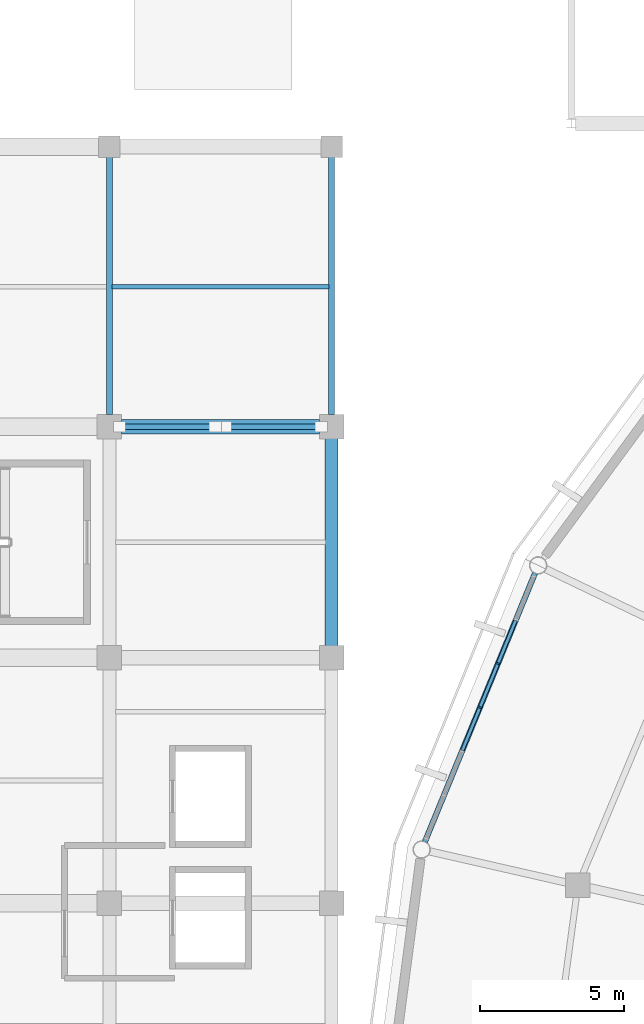
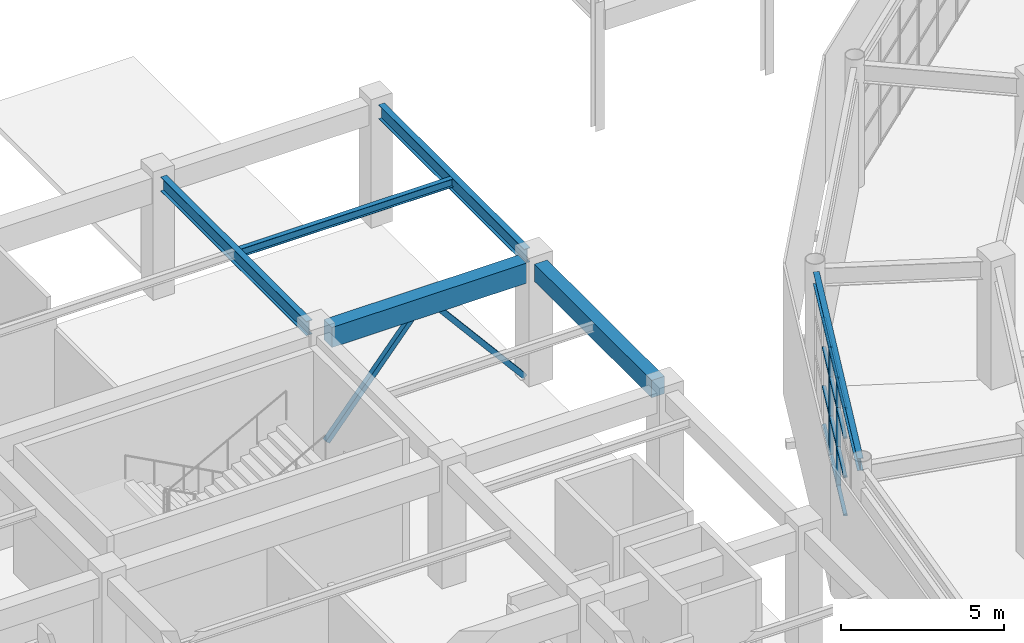
# One storey, part 44 of 122: 16 members, 6 beams, 1 element without a shape of its own.
"""IFC4 building model written with IfcOpenShell, lengths in metres."""

from ifc_helpers import new_model, si_unit, direction, frame, origin, origin_2d, place, context, subcontext, project, spatial, rectangle, hollow_rectangle, i_section, extrude, material, material_profile, profile_set, type_object, element, aggregate, save


model = new_model("IFC4")

# Units and contexts
model_context = context("Model", 3, precision=1e-05, world=origin(), true_north=direction((0.0, 1.0)))
body_context = subcontext(model_context, "Body", "Model", "MODEL_VIEW")
ifc_project = project(units=[si_unit("LENGTHUNIT", "METRE"), si_unit("AREAUNIT", "SQUARE_METRE"), si_unit("VOLUMEUNIT", "CUBIC_METRE"), si_unit("PLANEANGLEUNIT", "RADIAN"), si_unit("MASSUNIT", "GRAM", prefix="KILO")], contexts=[model_context])

# Site, building, storey
site_placement = place(None, origin())
site = spatial("IfcSite", under=ifc_project, at=site_placement, CompositionType="ELEMENT")
building_placement = place(site_placement, origin())
building = spatial("IfcBuilding", under=site, at=building_placement, Name="Cuetzalor Civic Arena", CompositionType="ELEMENT")
storey_placement = place(building_placement, frame((0.0, 0.0, 16.199951171875)))
storey = spatial("IfcBuildingStorey", under=building, at=storey_placement, Name="L03", CompositionType="ELEMENT", Elevation=16.199951171875)

# Beams
ifc_material_1 = material(Name="Concrete C40/50", Category="concrete")
ifc_material_profile_1 = material_profile(ifc_material_1, rectangle(XDim=0.5, YDim=0.75, at=origin_2d()), Name="RC 500x750")
ifc_profile_set_1 = profile_set([ifc_material_profile_1], Name="Concrete C40/50")
beam_type_1 = type_object("IfcBeamType", Name="ConcreteFrameBeam_500x750", PredefinedType="BEAM", material=ifc_profile_set_1)
beam_1_placement = place(storey_placement, frame((-63.5849609375, 25.0, 4.14501953125), z_axis=(1.0, 0.0, 0.0), x_axis=(0.0, 1.0, 0.0)))
element("IfcBeam", 1, at=beam_1_placement, inside=storey, type_object=beam_type_1, Name="Frame Girder V4W-L03-X0912", PredefinedType="BEAM", context=body_context, shape_type="SweptSolid", body=[
    extrude(rectangle(XDim=0.5, YDim=0.75, at=origin_2d()), origin(), (0.0, 0.0, 1.0), 6.869873046875),
])
ifc_material_2 = material(Name="Concrete C40/50", Category="concrete")
ifc_material_profile_2 = material_profile(ifc_material_2, rectangle(XDim=0.449951171875, YDim=0.64990234375, at=origin_2d()), Name="RC 450x650")
ifc_profile_set_2 = profile_set([ifc_material_profile_2], Name="Concrete C40/50")
beam_type_2 = type_object("IfcBeamType", Name="ConcreteTieBeam_450x650", PredefinedType="BEAM", material=ifc_profile_set_2)
beam_2_placement = place(storey_placement, frame((-56.300048828125, 17.4150390625, 4.195068359375), z_axis=(0.0, 1.0, 0.0), x_axis=(-1.0, 0.0, 0.0)))
element("IfcBeam", 2, at=beam_2_placement, inside=storey, type_object=beam_type_2, Name="Frame Girder V4W-L03-Y0954", PredefinedType="BEAM", context=body_context, shape_type="SweptSolid", body=[
    extrude(rectangle(XDim=0.449951171875, YDim=0.64990234375, at=origin_2d()), origin(), (0.0, 0.0, 1.0), 7.169921875),
])

# Curtain wall, members
ifc_material_3 = material(Name="Anodised dark bronze aluminium and low-E solar glass", Category="aluminium")
curtain_wall_type = type_object("IfcCurtainWallType", Name="UnitisedCW_9850x4050", PredefinedType="USERDEFINED", material=ifc_material_3)
curtain_wall_placement = place(storey_placement, origin())
curtain_wall = element("IfcCurtainWall", 3, at=curtain_wall_placement, inside=storey, type_object=curtain_wall_type, Name="Drum Triangle Foyer Curtain Wall L03-050", ObjectType="UNITISED CURTAIN WALL", PredefinedType="USERDEFINED")
ifc_material_4 = material(Name="Anodised dark bronze aluminium", Category="aluminium")
ifc_material_profile_3 = material_profile(ifc_material_4, rectangle(XDim=0.06494140625, YDim=0.14990234375, at=origin_2d()), Name="ALU MULLION 65x150")
ifc_profile_set_3 = profile_set([ifc_material_profile_3], Name="Anodised dark bronze aluminium")
member_type_1 = type_object("IfcMemberType", Name="CurtainWallMullion_60x150", PredefinedType="MULLION", material=ifc_profile_set_3)
member_1_placement = place(storey_placement, frame((-51.1650390625, 15.27783203125, 0.0), z_axis=(0.0, 0.0, 1.0), x_axis=(0.379391428583, 0.925236263836, 0.0)))
member_1 = element("IfcMember", 4, at=member_1_placement, type_object=member_type_1, Name="CW-17 mullion 4", PredefinedType="MULLION", context=body_context, shape_type="SweptSolid", body=[
    extrude(rectangle(XDim=0.06494140625, YDim=0.14990234375, at=origin_2d()), origin(), (0.0, 0.0, 1.0), 4.052978515625),
])
member_2_placement = place(storey_placement, frame((-50.540771484375, 16.800537109375, 0.0), z_axis=(0.0, 0.0, 1.0), x_axis=(0.379391428583, 0.925236263836, 0.0)))
member_2 = element("IfcMember", 5, at=member_2_placement, type_object=member_type_1, Name="CW-17 mullion 5", PredefinedType="MULLION", context=body_context, shape_type="SweptSolid", body=[
    extrude(rectangle(XDim=0.06494140625, YDim=0.14990234375, at=origin_2d()), origin(), (0.0, 0.0, 1.0), 4.052978515625),
])
ifc_material_5 = material(Name="Anodised dark bronze aluminium", Category="aluminium")
ifc_material_profile_4 = material_profile(ifc_material_5, rectangle(XDim=0.1201171875, YDim=0.06494140625, at=origin_2d()), Name="ALU TRANSOM 65x120")
ifc_profile_set_4 = profile_set([ifc_material_profile_4], Name="Anodised dark bronze aluminium")
member_type_2 = type_object("IfcMemberType", Name="CurtainWallTransom_60x120", PredefinedType="USERDEFINED", material=ifc_profile_set_4)
member_3_placement = place(storey_placement, frame((-51.777099609375, 13.78515625, 0.032470703125), z_axis=(0.379312293377, 0.925268709129, 0.0), x_axis=(-0.925268709129, 0.379312293377, 0.0)))
member_3 = element("IfcMember", 6, at=member_3_placement, type_object=member_type_2, Name="CW-17 transom 3.1", ObjectType="TRANSOM", PredefinedType="USERDEFINED", context=body_context, shape_type="SweptSolid", body=[
    extrude(rectangle(XDim=0.1201171875, YDim=0.06494140625, at=origin_2d()), origin(), (0.0, 0.0, 1.0), 1.580810546875),
])
member_4_placement = place(storey_placement, frame((-51.777099609375, 13.78515625, 1.458984375), z_axis=(0.379312293377, 0.925268709129, 0.0), x_axis=(-0.925268709129, 0.379312293377, 0.0)))
member_4 = element("IfcMember", 7, at=member_4_placement, type_object=member_type_2, Name="CW-17 transom 3.2", ObjectType="TRANSOM", PredefinedType="USERDEFINED", context=body_context, shape_type="SweptSolid", body=[
    extrude(rectangle(XDim=0.1201171875, YDim=0.06494140625, at=origin_2d()), origin(), (0.0, 0.0, 1.0), 1.580810546875),
])
member_5_placement = place(storey_placement, frame((-51.777099609375, 13.78515625, 2.91796875), z_axis=(0.379312293377, 0.925268709129, 0.0), x_axis=(-0.925268709129, 0.379312293377, 0.0)))
member_5 = element("IfcMember", 8, at=member_5_placement, type_object=member_type_2, Name="CW-17 transom 3.3", ObjectType="TRANSOM", PredefinedType="USERDEFINED", context=body_context, shape_type="SweptSolid", body=[
    extrude(rectangle(XDim=0.1201171875, YDim=0.06494140625, at=origin_2d()), origin(), (0.0, 0.0, 1.0), 1.580810546875),
])
member_6_placement = place(storey_placement, frame((-51.777099609375, 13.78515625, 4.0205078125), z_axis=(0.379312293377, 0.925268709129, 0.0), x_axis=(-0.925268709129, 0.379312293377, 0.0)))
member_6 = element("IfcMember", 9, at=member_6_placement, type_object=member_type_2, Name="CW-17 transom 3.4", ObjectType="TRANSOM", PredefinedType="USERDEFINED", context=body_context, shape_type="SweptSolid", body=[
    extrude(rectangle(XDim=0.1201171875, YDim=0.06494140625, at=origin_2d()), origin(), (0.0, 0.0, 1.0), 1.580810546875),
])
member_7_placement = place(storey_placement, frame((-51.15283203125, 15.307861328125, 0.032470703125), z_axis=(0.379444503936, 0.925214498607, 0.0), x_axis=(-0.925214498607, 0.379444503936, 0.0)))
member_7 = element("IfcMember", 10, at=member_7_placement, type_object=member_type_2, Name="CW-17 transom 4.1", ObjectType="TRANSOM", PredefinedType="USERDEFINED", context=body_context, shape_type="SweptSolid", body=[
    extrude(rectangle(XDim=0.1201171875, YDim=0.06494140625, at=origin_2d()), origin(), (0.0, 0.0, 1.0), 1.580810546875),
])
member_8_placement = place(storey_placement, frame((-51.15283203125, 15.307861328125, 1.458984375), z_axis=(0.379444503936, 0.925214498607, 0.0), x_axis=(-0.925214498607, 0.379444503936, 0.0)))
member_8 = element("IfcMember", 11, at=member_8_placement, type_object=member_type_2, Name="CW-17 transom 4.2", ObjectType="TRANSOM", PredefinedType="USERDEFINED", context=body_context, shape_type="SweptSolid", body=[
    extrude(rectangle(XDim=0.1201171875, YDim=0.06494140625, at=origin_2d()), origin(), (0.0, 0.0, 1.0), 1.580810546875),
])
member_9_placement = place(storey_placement, frame((-51.15283203125, 15.307861328125, 2.91796875), z_axis=(0.379444503936, 0.925214498607, 0.0), x_axis=(-0.925214498607, 0.379444503936, 0.0)))
member_9 = element("IfcMember", 12, at=member_9_placement, type_object=member_type_2, Name="CW-17 transom 4.3", ObjectType="TRANSOM", PredefinedType="USERDEFINED", context=body_context, shape_type="SweptSolid", body=[
    extrude(rectangle(XDim=0.1201171875, YDim=0.06494140625, at=origin_2d()), origin(), (0.0, 0.0, 1.0), 1.580810546875),
])
member_10_placement = place(storey_placement, frame((-51.15283203125, 15.307861328125, 4.0205078125), z_axis=(0.379444503936, 0.925214498607, 0.0), x_axis=(-0.925214498607, 0.379444503936, 0.0)))
member_10 = element("IfcMember", 13, at=member_10_placement, type_object=member_type_2, Name="CW-17 transom 4.4", ObjectType="TRANSOM", PredefinedType="USERDEFINED", context=body_context, shape_type="SweptSolid", body=[
    extrude(rectangle(XDim=0.1201171875, YDim=0.06494140625, at=origin_2d()), origin(), (0.0, 0.0, 1.0), 1.580810546875),
])
member_11_placement = place(storey_placement, frame((-50.5283203125, 16.83056640625, 0.032470703125), z_axis=(0.379366504724, 0.925246483427, 0.0), x_axis=(-0.925246483427, 0.379366504724, 0.0)))
member_11 = element("IfcMember", 14, at=member_11_placement, type_object=member_type_2, Name="CW-17 transom 5.1", ObjectType="TRANSOM", PredefinedType="USERDEFINED", context=body_context, shape_type="SweptSolid", body=[
    extrude(rectangle(XDim=0.1201171875, YDim=0.06494140625, at=origin_2d()), origin(), (0.0, 0.0, 1.0), 1.58056640625),
])
member_12_placement = place(storey_placement, frame((-50.5283203125, 16.83056640625, 1.458984375), z_axis=(0.379366504724, 0.925246483427, 0.0), x_axis=(-0.925246483427, 0.379366504724, 0.0)))
member_12 = element("IfcMember", 15, at=member_12_placement, type_object=member_type_2, Name="CW-17 transom 5.2", ObjectType="TRANSOM", PredefinedType="USERDEFINED", context=body_context, shape_type="SweptSolid", body=[
    extrude(rectangle(XDim=0.1201171875, YDim=0.06494140625, at=origin_2d()), origin(), (0.0, 0.0, 1.0), 1.58056640625),
])
member_13_placement = place(storey_placement, frame((-50.5283203125, 16.83056640625, 2.91796875), z_axis=(0.379366504724, 0.925246483427, 0.0), x_axis=(-0.925246483427, 0.379366504724, 0.0)))
member_13 = element("IfcMember", 16, at=member_13_placement, type_object=member_type_2, Name="CW-17 transom 5.3", ObjectType="TRANSOM", PredefinedType="USERDEFINED", context=body_context, shape_type="SweptSolid", body=[
    extrude(rectangle(XDim=0.1201171875, YDim=0.06494140625, at=origin_2d()), origin(), (0.0, 0.0, 1.0), 1.58056640625),
])
member_14_placement = place(storey_placement, frame((-50.5283203125, 16.83056640625, 4.0205078125), z_axis=(0.379366504724, 0.925246483427, 0.0), x_axis=(-0.925246483427, 0.379366504724, 0.0)))
member_14 = element("IfcMember", 17, at=member_14_placement, type_object=member_type_2, Name="CW-17 transom 5.4", ObjectType="TRANSOM", PredefinedType="USERDEFINED", context=body_context, shape_type="SweptSolid", body=[
    extrude(rectangle(XDim=0.1201171875, YDim=0.06494140625, at=origin_2d()), origin(), (0.0, 0.0, 1.0), 1.58056640625),
])
aggregate(curtain_wall, [member_1, member_2, member_3, member_4, member_5, member_6, member_7, member_8, member_9, member_10, member_11, member_12, member_13, member_14])

# Beam
ifc_material_6 = material(Name="Steel S355", Category="steel")
ifc_material_profile_5 = material_profile(ifc_material_6, i_section(OverallWidth=0.18994140625, OverallDepth=0.45703125, WebThickness=0.009033203125, FlangeThickness=0.014404296875, at=origin_2d()), Name="W460x74")
ifc_profile_set_5 = profile_set([ifc_material_profile_5], Name="Steel S355")
beam_type_3 = type_object("IfcBeamType", Name="FacadeSpandrelBeam_W460", PredefinedType="SPANDREL", material=ifc_profile_set_5)
beam_3_placement = place(storey_placement, frame((-49.2578125, 19.928955078125, 4.29150390625), z_axis=(-0.379398599643, -0.925233323324, 0.0), x_axis=(0.925233323324, -0.379398599643, 0.0)))
element("IfcBeam", 18, at=beam_3_placement, inside=storey, type_object=beam_type_3, Name="Drum Perimeter Spandrel L03-S13", PredefinedType="SPANDREL", context=body_context, shape_type="SweptSolid", body=[
    extrude(i_section(OverallWidth=0.18994140625, OverallDepth=0.45703125, WebThickness=0.009033203125, FlangeThickness=0.014404296875, at=origin_2d()), origin(), (0.0, 0.0, 1.0), 10.053955078125),
])

# Members
ifc_material_7 = material(Name="Steel S355", Category="steel")
ifc_material_profile_6 = material_profile(ifc_material_7, hollow_rectangle(XDim=0.179931640625, YDim=0.179931640625, WallThickness=0.010009765625, at=origin_2d()), Name="RHS 180x180x10")
ifc_profile_set_6 = profile_set([ifc_material_profile_6], Name="Steel S355")
member_type_3 = type_object("IfcMemberType", Name="LateralFrameBrace_RHS180", PredefinedType="BRACE", material=ifc_profile_set_6)
member_15_placement = place(storey_placement, frame((-63.639892578125, 25.0, 0.150146484375), z_axis=(0.644181104804, 0.0, 0.764872998748), x_axis=(0.0, 1.0, 0.0)))
element("IfcMember", 19, at=member_15_placement, inside=storey, type_object=member_type_3, Name="Lateral Chevron Brace V4W-L03-019", PredefinedType="BRACE", context=body_context, shape_type="SweptSolid", body=[
    extrude(hollow_rectangle(XDim=0.179931640625, YDim=0.179931640625, WallThickness=0.010009765625, at=origin_2d()), origin(), (0.0, 0.0, 1.0), 5.137939453125),
])
member_16_placement = place(storey_placement, frame((-56.659912109375, 25.0, 0.150146484375), z_axis=(-0.644208902135, 0.0, 0.764849586788), x_axis=(0.0, -1.0, 0.0)))
element("IfcMember", 20, at=member_16_placement, inside=storey, type_object=member_type_3, Name="Lateral Chevron Brace V4W-L03-020", PredefinedType="BRACE", context=body_context, shape_type="SweptSolid", body=[
    extrude(hollow_rectangle(XDim=0.179931640625, YDim=0.179931640625, WallThickness=0.010009765625, at=origin_2d()), origin(), (0.0, 0.0, 1.0), 5.13818359375),
])

# Beams
ifc_material_8 = material(Name="Steel S355", Category="steel")
ifc_material_profile_7 = material_profile(ifc_material_8, i_section(OverallWidth=0.166015625, OverallDepth=0.31298828125, WebThickness=0.006591796875, FlangeThickness=0.01123046875, at=origin_2d()), Name="W310x45")
ifc_profile_set_7 = profile_set([ifc_material_profile_7], Name="Steel S355")
beam_type_4 = type_object("IfcBeamType", Name="SecondaryRoofJoist_W310", PredefinedType="JOIST", material=ifc_profile_set_7)
beam_4_placement = place(storey_placement, frame((-63.903564453125, 29.85009765625, 4.363525390625), z_axis=(1.0, 0.0, 0.0), x_axis=(0.0, 1.0, 0.0)))
element("IfcBeam", 21, at=beam_4_placement, inside=storey, type_object=beam_type_4, Name="Secondary Floor Joist V4W-L03-0292", PredefinedType="JOIST", context=body_context, shape_type="SweptSolid", body=[
    extrude(i_section(OverallWidth=0.166015625, OverallDepth=0.31298828125, WebThickness=0.006591796875, FlangeThickness=0.01123046875, at=origin_2d()), origin(), (0.0, 0.0, 1.0), 7.507080078125),
])
ifc_material_9 = material(Name="Steel S355", Category="steel")
ifc_material_profile_8 = material_profile(ifc_material_9, i_section(OverallWidth=0.208984375, OverallDepth=0.532958984375, WebThickness=0.01025390625, FlangeThickness=0.015625, at=origin_2d()), Name="W530x92")
ifc_profile_set_8 = profile_set([ifc_material_profile_8], Name="Steel S355")
beam_type_5 = type_object("IfcBeamType", Name="SteelCollarGirder_W530", PredefinedType="BEAM", material=ifc_profile_set_8)
for number, where, z_axis, x_axis, name in (
    (22, (-64.0, 25.4150390625, 4.253662109375), (0.0, 1.0, 0.0), (-1.0, 0.0, 0.0), "Frame Girder V4W-L03-Y0945"),
    (23, (-56.300048828125, 25.4150390625, 4.253662109375), (0.0, 1.0, 0.0), (-1.0, 0.0, 0.0), "Frame Girder V4W-L03-Y0955"),
):
    element("IfcBeam", number, at=place(storey_placement, frame(where, z_axis=z_axis, x_axis=x_axis)), inside=storey, type_object=beam_type_5, Name=name, PredefinedType="BEAM", context=body_context, shape_type="SweptSolid", body=[
        extrude(i_section(OverallWidth=0.208984375, OverallDepth=0.532958984375, WebThickness=0.01025390625, FlangeThickness=0.015625, at=origin_2d()), origin(), (0.0, 0.0, 1.0), 8.919921875),
    ])

save(model, "model.ifc")
